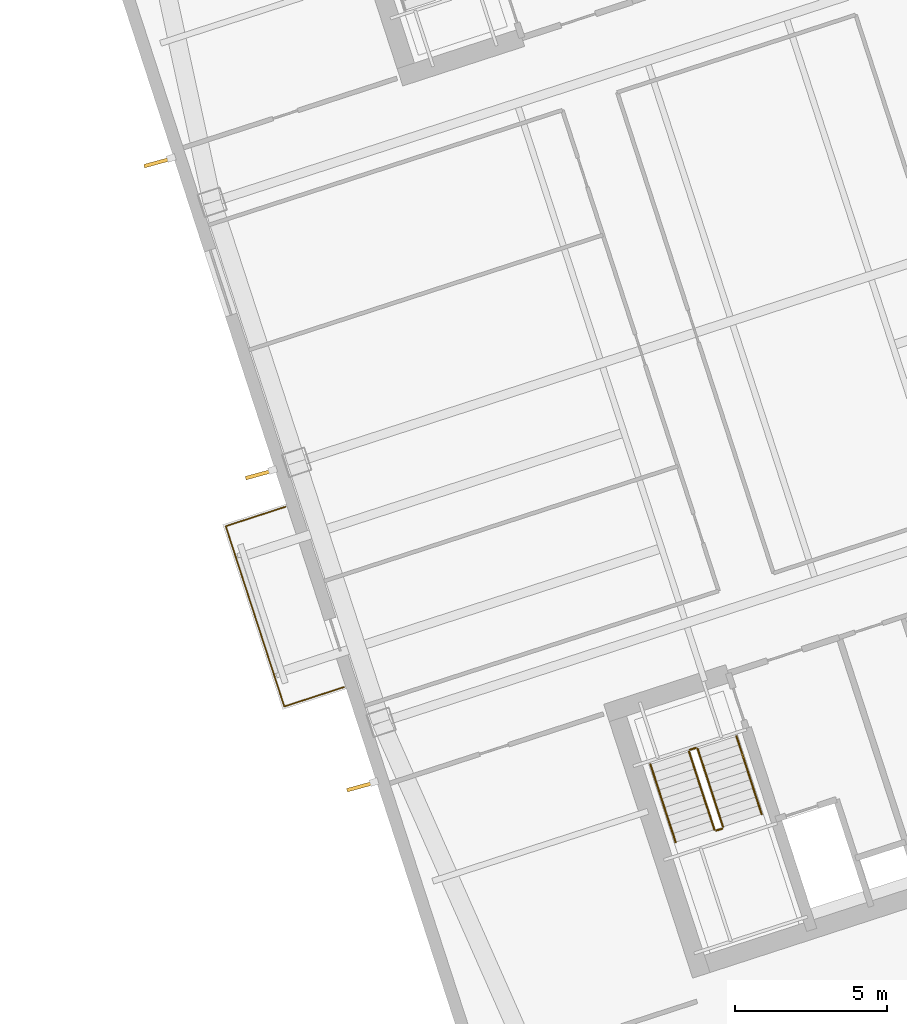
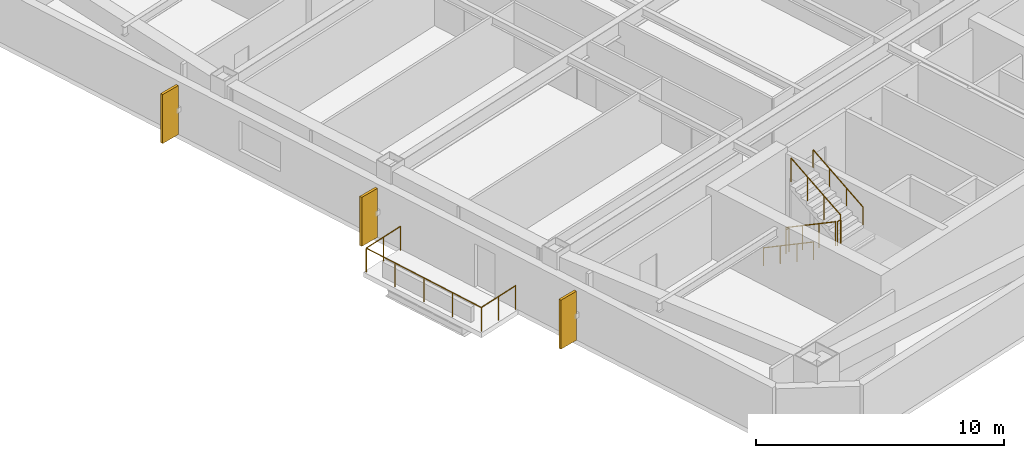
# One storey, part 16 of 17: 7 railings, 3 shading devices.
"""IFC4 building model written with IfcOpenShell, lengths in metres."""

from ifc_helpers import new_model, si_unit, direction, frame, origin, origin_2d, place, context, subcontext, project, spatial, rectangle, circle, extrude, material, layer, layer_set, type_object, element, save


model = new_model("IFC4")

# Units and contexts
model_context = context("Model", 3, precision=1e-05, world=origin(), true_north=direction((0.0, 1.0)))
body_context = subcontext(model_context, "Body", "Model", "MODEL_VIEW")
ifc_project = project(units=[si_unit("LENGTHUNIT", "METRE"), si_unit("AREAUNIT", "SQUARE_METRE"), si_unit("VOLUMEUNIT", "CUBIC_METRE"), si_unit("PLANEANGLEUNIT", "RADIAN"), si_unit("MASSUNIT", "GRAM", prefix="KILO")], contexts=[model_context])

# Site, building, storey
site_placement = place(None, origin())
site = spatial("IfcSite", under=ifc_project, at=site_placement, CompositionType="ELEMENT")
building_placement = place(site_placement, origin())
building = spatial("IfcBuilding", under=site, at=building_placement, Name="Qiaolan Cultural Towers", CompositionType="ELEMENT")
storey_placement = place(building_placement, frame((0.0, 0.0, 152.949951171875)))
storey = spatial("IfcBuildingStorey", under=building, at=storey_placement, Name="L40", CompositionType="ELEMENT", Elevation=152.949951171875)

# Railings
ifc_material_1 = material(Name="Laminated SentryGlas & Stainless Steel S31608 Balustrade", Category="steel")
railing_type_1 = type_object("IfcRailingType", Name="GRD-TERR-1200", PredefinedType="BALUSTRADE", material=ifc_material_1)
railing_1_placement = place(storey_placement, frame((77.24951171875, 21.9501953125, 0.0)))
element("IfcRailing", 1, at=railing_1_placement, inside=storey, type_object=railing_type_1, Name="L40 T2 Tree Balcony Guardrail W", PredefinedType="BALUSTRADE", context=body_context, shape_type="SweptSolid", body=[
    extrude(circle(Radius=0.02392578125, at=origin_2d()), frame((0.0, 0.0, 1.17578125), z_axis=(-0.951061799618, -0.309000733507, 0.0), x_axis=(0.309000733507, -0.951061799618, 0.0)), (0.0, 0.0, 1.0), 2.070068359375),
    extrude(circle(Radius=0.02392578125, at=origin_2d()), frame((-1.96875, -0.6396484375, 1.17578125), z_axis=(-0.30901175762, 0.951058217804, 0.0), x_axis=(-0.951058217804, -0.30901175762, 0.0)), (0.0, 0.0, 1.0), 6.239990234375),
    extrude(circle(Radius=0.02392578125, at=origin_2d()), frame((-3.89697265625, 5.294921875, 1.17578125), z_axis=(0.951061799618, 0.309000733507, 0.0), x_axis=(-0.309000733507, 0.951061799618, 0.0)), (0.0, 0.0, 1.0), 2.070068359375),
    extrude(circle(Radius=0.02099609375, at=origin_2d()), origin(), (0.0, 0.0, 1.0), 1.15185546875),
    extrude(circle(Radius=0.02099609375, at=origin_2d()), frame((-0.984375, -0.31982421875, 0.0)), (0.0, 0.0, 1.0), 1.15185546875),
    extrude(circle(Radius=0.02099609375, at=origin_2d()), frame((-1.96875, -0.6396484375, 0.0)), (0.0, 0.0, 1.0), 1.15185546875),
    extrude(circle(Radius=0.02099609375, at=origin_2d()), frame((-2.45068359375, 0.843994140625, 0.0)), (0.0, 0.0, 1.0), 1.15185546875),
    extrude(circle(Radius=0.02099609375, at=origin_2d()), frame((-2.932861328125, 2.32763671875, 0.0)), (0.0, 0.0, 1.0), 1.15185546875),
    extrude(circle(Radius=0.02099609375, at=origin_2d()), frame((-3.4150390625, 3.811279296875, 0.0)), (0.0, 0.0, 1.0), 1.15185546875),
    extrude(circle(Radius=0.02099609375, at=origin_2d()), frame((-3.89697265625, 5.294921875, 0.0)), (0.0, 0.0, 1.0), 1.15185546875),
    extrude(circle(Radius=0.02099609375, at=origin_2d()), frame((-2.91259765625, 5.61474609375, 0.0)), (0.0, 0.0, 1.0), 1.15185546875),
    extrude(circle(Radius=0.02099609375, at=origin_2d()), frame((-1.92822265625, 5.9345703125, 0.0)), (0.0, 0.0, 1.0), 1.15185546875),
])
ifc_material_2 = material(Name="Galvanized Painted Steel Stair Guardrail", Category="steel")
railing_type_2 = type_object("IfcRailingType", Name="RL-STAIR-GRD", PredefinedType="GUARDRAIL", material=ifc_material_2)
railing_2_placement = place(storey_placement, frame((88.60205078125, 19.82421875, 0.172607421875)))
element("IfcRailing", 2, at=railing_2_placement, inside=storey, type_object=railing_type_2, Name="L40 ST-E1 stair guard 1", PredefinedType="GUARDRAIL", context=body_context, shape_type="SweptSolid", body=[
    extrude(circle(Radius=0.02392578125, at=origin_2d()), frame((0.0, 0.0, 1.17578125), z_axis=(0.267925668498, -0.824471088726, 0.498460891159), x_axis=(0.951043371037, 0.309057448393, 0.0)), (0.0, 0.0, 1.0), 3.114501953125),
    extrude(circle(Radius=0.02099609375, at=origin_2d()), origin(), (0.0, 0.0, 1.0), 1.15185546875),
    extrude(circle(Radius=0.02099609375, at=origin_2d()), frame((0.278076171875, -0.85595703125, 0.517578125)), (0.0, 0.0, 1.0), 1.15185546875),
    extrude(circle(Radius=0.02099609375, at=origin_2d()), frame((0.556396484375, -1.7119140625, 1.034912109375)), (0.0, 0.0, 1.0), 1.15185546875),
    extrude(circle(Radius=0.02099609375, at=origin_2d()), frame((0.83447265625, -2.56787109375, 1.552490234375)), (0.0, 0.0, 1.0), 1.15185546875),
])
railing_3_placement = place(storey_placement, frame((89.49951171875, 17.224365234375, 1.72509765625)))
element("IfcRailing", 3, at=railing_3_placement, inside=storey, type_object=railing_type_2, Name="L40 ST-E1 stair guard 2", PredefinedType="GUARDRAIL", context=body_context, shape_type="SweptSolid", body=[
    extrude(circle(Radius=0.02392578125, at=origin_2d()), frame((0.0, 0.0, 1.17578125), z_axis=(0.951096855055, 0.308892816854, 0.0), x_axis=(-0.308892816854, 0.951096855055, 0.0)), (0.0, 0.0, 1.0), 0.199951171875),
    extrude(circle(Radius=0.02099609375, at=origin_2d()), origin(), (0.0, 0.0, 1.0), 1.15185546875),
    extrude(circle(Radius=0.02099609375, at=origin_2d()), frame((0.190185546875, 0.061767578125, 0.0)), (0.0, 0.0, 1.0), 1.15185546875),
])
railing_4_placement = place(storey_placement, frame((89.721923828125, 17.34912109375, 1.8974609375)))
element("IfcRailing", 4, at=railing_4_placement, inside=storey, type_object=railing_type_2, Name="L40 ST-E1 stair guard 3", PredefinedType="GUARDRAIL", context=body_context, shape_type="SweptSolid", body=[
    extrude(circle(Radius=0.02392578125, at=origin_2d()), frame((0.0, 0.0, 1.17578125), z_axis=(-0.267925668498, 0.824471088726, 0.498460891159), x_axis=(-0.951043371037, -0.309057448393, 0.0)), (0.0, 0.0, 1.0), 3.114501953125),
    extrude(circle(Radius=0.02099609375, at=origin_2d()), origin(), (0.0, 0.0, 1.0), 1.15185546875),
    extrude(circle(Radius=0.02099609375, at=origin_2d()), frame((-0.278076171875, 0.85595703125, 0.517578125)), (0.0, 0.0, 1.0), 1.15185546875),
    extrude(circle(Radius=0.02099609375, at=origin_2d()), frame((-0.556396484375, 1.7119140625, 1.034912109375)), (0.0, 0.0, 1.0), 1.15185546875),
    extrude(circle(Radius=0.02099609375, at=origin_2d()), frame((-0.83447265625, 2.56787109375, 1.552490234375)), (0.0, 0.0, 1.0), 1.15185546875),
])
railing_5_placement = place(storey_placement, frame((88.63427734375, 19.88720703125, 0.0)))
element("IfcRailing", 5, at=railing_5_placement, inside=storey, type_object=railing_type_2, Name="L40 ST-E1 stair guard 4", PredefinedType="GUARDRAIL", context=body_context, shape_type="SweptSolid", body=[
    extrude(circle(Radius=0.02392578125, at=origin_2d()), frame((0.0, 0.0, 1.17578125), z_axis=(0.951096855055, 0.308892816854, 0.0), x_axis=(-0.308892816854, 0.951096855055, 0.0)), (0.0, 0.0, 1.0), 0.199951171875),
    extrude(circle(Radius=0.02099609375, at=origin_2d()), origin(), (0.0, 0.0, 1.0), 1.15185546875),
    extrude(circle(Radius=0.02099609375, at=origin_2d()), frame((0.190185546875, 0.061767578125, 0.0)), (0.0, 0.0, 1.0), 1.15185546875),
])
ifc_material_3 = material(Name="Stainless Steel S30408 Tubular Handrail", Category="steel")
railing_type_3 = type_object("IfcRailingType", Name="RL-STAIR-HR", PredefinedType="HANDRAIL", material=ifc_material_3)
railing_6_placement = place(storey_placement, frame((87.32763671875, 19.41015625, 0.172607421875)))
element("IfcRailing", 6, at=railing_6_placement, inside=storey, type_object=railing_type_3, Name="L40 ST-E1 stair handrail 1", PredefinedType="HANDRAIL", context=body_context, shape_type="SweptSolid", body=[
    extrude(circle(Radius=0.02392578125, at=origin_2d()), frame((0.0, 0.0, 0.8759765625), z_axis=(0.267925668498, -0.824471088726, 0.498460891159), x_axis=(0.951043371037, 0.309057448393, 0.0)), (0.0, 0.0, 1.0), 3.114501953125),
    extrude(circle(Radius=0.02099609375, at=origin_2d()), origin(), (0.0, 0.0, 1.0), 0.851806640625),
    extrude(circle(Radius=0.02099609375, at=origin_2d()), frame((0.278076171875, -0.85595703125, 0.517578125)), (0.0, 0.0, 1.0), 0.851806640625),
    extrude(circle(Radius=0.02099609375, at=origin_2d()), frame((0.556396484375, -1.7119140625, 1.034912109375)), (0.0, 0.0, 1.0), 0.851806640625),
    extrude(circle(Radius=0.02099609375, at=origin_2d()), frame((0.83447265625, -2.56787109375, 1.552490234375)), (0.0, 0.0, 1.0), 0.851806640625),
])
railing_7_placement = place(storey_placement, frame((90.996337890625, 17.76318359375, 1.8974609375)))
element("IfcRailing", 7, at=railing_7_placement, inside=storey, type_object=railing_type_3, Name="L40 ST-E1 stair handrail 2", PredefinedType="HANDRAIL", context=body_context, shape_type="SweptSolid", body=[
    extrude(circle(Radius=0.02392578125, at=origin_2d()), frame((0.0, 0.0, 0.8759765625), z_axis=(-0.267925668498, 0.824471088726, 0.498460891159), x_axis=(-0.951043371037, -0.309057448393, 0.0)), (0.0, 0.0, 1.0), 3.114501953125),
    extrude(circle(Radius=0.02099609375, at=origin_2d()), origin(), (0.0, 0.0, 1.0), 0.851806640625),
    extrude(circle(Radius=0.02099609375, at=origin_2d()), frame((-0.278076171875, 0.85595703125, 0.517578125)), (0.0, 0.0, 1.0), 0.851806640625),
    extrude(circle(Radius=0.02099609375, at=origin_2d()), frame((-0.556396484375, 1.7119140625, 1.034912109375)), (0.0, 0.0, 1.0), 0.851806640625),
    extrude(circle(Radius=0.02099609375, at=origin_2d()), frame((-0.83447265625, 2.56787109375, 1.552490234375)), (0.0, 0.0, 1.0), 0.851806640625),
])

# Shading devices
ifc_material_4 = material(Name="Pierced Warm Terracotta Acoustic Fin", Category="masonry")
ifc_layer = layer(ifc_material_4, 0.1201171875)
ifc_layer_set = layer_set([ifc_layer], Name="Pierced Warm Terracotta Acoustic Fin")
shading_device_type = type_object("IfcShadingDeviceType", Name="SHD-FIN-PIERCED", PredefinedType="USERDEFINED", material=ifc_layer_set)
for number, where, z_axis, x_axis, name in (
    (8, (77.778076171875, 18.673095703125, 0.10009765625), (0.0, 0.0, 1.0), (0.964117291254, 0.265476644368, 0.0), "L40 T2 Expressive Precast Vertical Fin W1"),
    (9, (74.440673828125, 28.944580078125, 0.10009765625), (0.0, 0.0, 1.0), (0.964117291254, 0.265476644368, 0.0), "L40 T2 Expressive Precast Vertical Fin W2"),
    (10, (71.103271484375, 39.2158203125, 0.10009765625), (0.0, 0.0, 1.0), (0.964117291254, 0.265476644368, 0.0), "L40 T2 Expressive Precast Vertical Fin W3"),
):
    element("IfcShadingDevice", number, at=place(storey_placement, frame(where, z_axis=z_axis, x_axis=x_axis)), inside=storey, type_object=shading_device_type, Name=name, ObjectType="FIN", PredefinedType="USERDEFINED", context=body_context, shape_type="SweptSolid", body=[
        extrude(rectangle(XDim=0.89990234375, YDim=0.1201171875, at=origin_2d()), origin(), (0.0, 0.0, 1.0), 2.409912109375),
    ])

save(model, "model.ifc")
